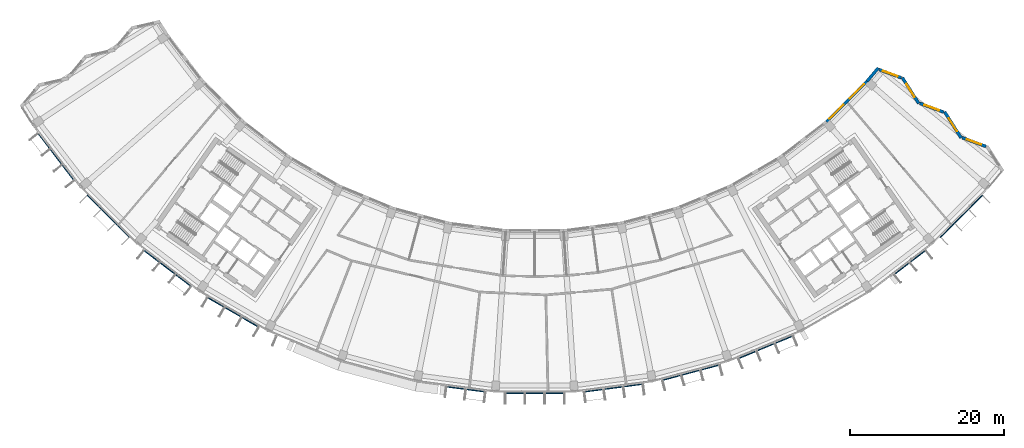
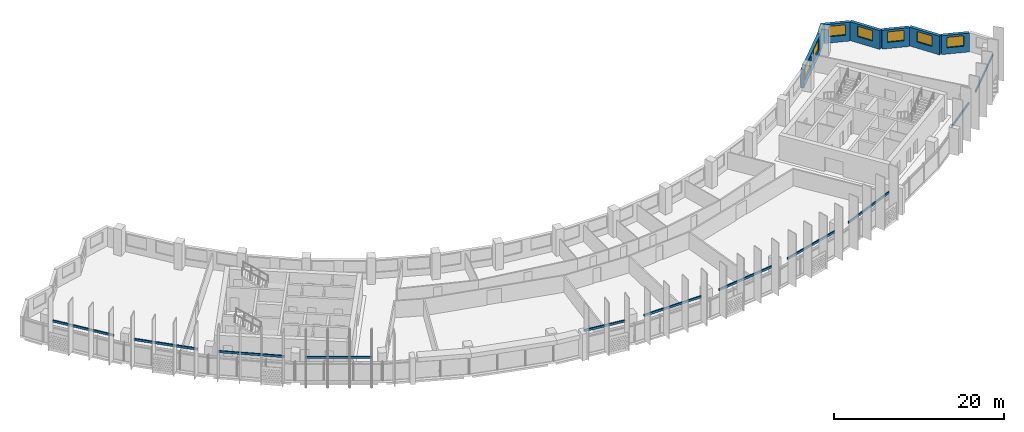
# One storey, part 8 of 28: 11 discrete accessories, 7 walls, 7 windows, 7 openings.
"""IFC4 building model written with IfcOpenShell, lengths in metres."""

import ifcopenshell
import ifcopenshell.guid

model = None  # the IFC model being written
_history = None  # IfcOwnerHistory: only IFC2X3 demands one
_inside = {}  # id of a spatial element -> (the spatial element, [elements in it])
_under = {}  # id of a project, library or spatial element -> (it, [spatial elements below it])
_declared = {}  # id of a project -> (the project, [libraries it declares])
_typed = {}  # id of a type object -> (the type object, [elements of that type])
_made_of = {}  # id of a material, layer set ... -> (it, [elements and type objects made of it])


def new_model(schema):
    """Start an empty IFC model of exactly this schema.

    Asked for "IFC4X3", IfcOpenShell would pick the latest addendum, in which some entities
    have other attributes; the version numbers below select the first issue.
    IFC2X3 requires an IfcOwnerHistory on every rooted entity: one is made here for all.
    """
    global model, _history
    if schema == "IFC4X3":
        model = ifcopenshell.file(schema_version=(4, 3, 0, 0))
    else:
        model = ifcopenshell.file(schema=schema)
    _inside.clear()
    _under.clear()
    _declared.clear()
    _typed.clear()
    _made_of.clear()
    _history = None
    if model.schema == "IFC2X3":
        org = make("IfcOrganization", Name="unknown")
        user = make(
            "IfcPersonAndOrganization",
            ThePerson=make("IfcPerson", FamilyName="unknown"),
            TheOrganization=org,
        )
        app = make(
            "IfcApplication",
            ApplicationDeveloper=org,
            Version="unknown",
            ApplicationFullName="unknown",
            ApplicationIdentifier="unknown",
        )
        _history = make(
            "IfcOwnerHistory",
            OwningUser=user,
            OwningApplication=app,
            ChangeAction="ADDED",
            CreationDate=0,
        )
    return model


def make(cls, **values):
    """One entity of the class cls with the attributes given. An attribute that is None is left unset."""
    return model.create_entity(
        cls, **{name: value for name, value in values.items() if value is not None}
    )


def rooted(cls, **values):
    """An entity with a GlobalId (a new one), such as an element, a storey or a relation."""
    return make(cls, GlobalId=ifcopenshell.guid.new(), OwnerHistory=_history, **values)


def si_unit(unit_type, name, prefix=None):
    """IfcSIUnit, for example si_unit("LENGTHUNIT", "METRE", prefix="MILLI")."""
    return make("IfcSIUnit", UnitType=unit_type, Prefix=prefix, Name=name)


def assignment(units):
    """IfcUnitAssignment: the units of a project."""
    return None if units is None else make("IfcUnitAssignment", Units=units)


def point(xyz):
    """IfcCartesianPoint."""
    return None if xyz is None else make("IfcCartesianPoint", Coordinates=xyz)


def direction(xyz):
    """IfcDirection."""
    return None if xyz is None else make("IfcDirection", DirectionRatios=xyz)


def frame(location, z_axis=None, x_axis=None):
    """IfcAxis2Placement3D, a coordinate frame: its origin and axes. An axis left out is left unset."""
    return make(
        "IfcAxis2Placement3D",
        Location=point(location),
        Axis=direction(z_axis),
        RefDirection=direction(x_axis),
    )


def frame_2d(location, x_axis=None):
    """IfcAxis2Placement2D, a coordinate frame in the plane: its origin and x axis."""
    return make(
        "IfcAxis2Placement2D", Location=point(location), RefDirection=direction(x_axis)
    )


def origin():
    """The frame at (0, 0, 0) with its axes left unset."""
    return frame((0.0, 0.0, 0.0))


def origin_2d():
    """The frame at (0, 0) in the plane with its x axis left unset."""
    return frame_2d((0.0, 0.0))


def place(relative_to, where):
    """IfcLocalPlacement: puts the frame where relative to a parent placement (None: the world)."""
    return make(
        "IfcLocalPlacement", PlacementRelTo=relative_to, RelativePlacement=where
    )


def context(
    kind, dimensions, precision=None, world=None, true_north=None, identifier=None
):
    """IfcGeometricRepresentationContext, for example the 3D "Model" context."""
    return make(
        "IfcGeometricRepresentationContext",
        ContextIdentifier=identifier,
        ContextType=kind,
        CoordinateSpaceDimension=dimensions,
        Precision=precision,
        WorldCoordinateSystem=world,
        TrueNorth=true_north,
    )


def subcontext(parent, identifier, kind, view, scale=None):
    """IfcGeometricRepresentationSubContext, for example "Body" below "Model"."""
    return make(
        "IfcGeometricRepresentationSubContext",
        ContextIdentifier=identifier,
        ContextType=kind,
        ParentContext=parent,
        TargetScale=scale,
        TargetView=view,
    )


def project(units=None, contexts=None):
    """IfcProject with its units and contexts."""
    return rooted(
        "IfcProject",
        Name="project",
        RepresentationContexts=contexts,
        UnitsInContext=assignment(units),
    )


def spatial(cls, under=None, at=None, **own):
    """A site, building, storey or space (cls), placed at a placement, below another one or the project."""
    s = rooted(cls, ObjectPlacement=at, **own)
    if under is not None:
        _under.setdefault(under.id(), (under, []))[1].append(s)
    return s


def profile(cls, at=None, kind="AREA", **sizes):
    """A parametric profile (cls). Its sizes go by their IFC names, for example OverallWidth=200.0."""
    return make(cls, ProfileType=kind, Position=at, **sizes)


def rectangle(**sizes):
    """IfcRectangleProfileDef."""
    return profile("IfcRectangleProfileDef", **sizes)


def extrude(swept, where, along, depth):
    """IfcExtrudedAreaSolid: the profile swept, set in the frame where, extruded along a direction by depth."""
    return make(
        "IfcExtrudedAreaSolid",
        SweptArea=swept,
        Position=where,
        ExtrudedDirection=direction(along),
        Depth=depth,
    )


def shape(context_of_items, identifier, shape_type, items):
    """IfcShapeRepresentation: the items that make up one representation, for example the "Body"."""
    return make(
        "IfcShapeRepresentation",
        ContextOfItems=context_of_items,
        RepresentationIdentifier=identifier,
        RepresentationType=shape_type,
        Items=items,
    )


def material(Name=None, Category=None):
    """IfcMaterial."""
    return make("IfcMaterial", Name=Name, Category=Category)


def layer(
    of_material, thickness, ventilated=None, Name=None, Category=None, Priority=None
):
    """IfcMaterialLayer: one layer of a wall or slab, of a material (None: an air gap)."""
    return make(
        "IfcMaterialLayer",
        Material=of_material,
        LayerThickness=thickness,
        IsVentilated=ventilated,
        Name=Name,
        Category=Category,
        Priority=Priority,
    )


def layer_set(layers, Name=None):
    """IfcMaterialLayerSet."""
    return make("IfcMaterialLayerSet", MaterialLayers=layers, LayerSetName=Name)


def made_of(thing, what):
    """Note that an element or type object is made of a material, layer set ...; save() writes the relation."""
    if what is not None:
        _made_of.setdefault(what.id(), (what, []))[1].append(thing)
    return thing


def type_object(cls, material=None, **own):
    """A type object (cls), such as IfcWallType, which elements share."""
    return made_of(rooted(cls, **own), material)


def element(
    cls,
    number,
    at=None,
    inside=None,
    cuts=None,
    type_object=None,
    material=None,
    context=None,
    identifier="Body",
    shape_type=None,
    held_by="IfcProductDefinitionShape",
    body=None,
    shapes=None,
    **own,
):
    """One element of the class cls, such as IfcWall. Its Tag is "e" and its number.

    at: its placement. inside: the storey or other place that contains it. cuts: it is an
    opening in that element (IfcRelVoidsElement). A single representation is given by context,
    identifier, shape_type and body (its items); several are given by shapes. held_by: the class
    of the entity that holds the representations. save() writes the other relations.
    """
    e = rooted(cls, Tag="e%d" % number, ObjectPlacement=at, **own)
    if body is not None:
        shapes = [shape(context, identifier, shape_type, body)]
    if shapes is not None:
        e.Representation = make(held_by, Representations=shapes)
    if inside is not None:
        _inside.setdefault(inside.id(), (inside, []))[1].append(e)
    if cuts is not None:
        rooted(
            "IfcRelVoidsElement", RelatingBuildingElement=cuts, RelatedOpeningElement=e
        )
    if type_object is not None:
        _typed.setdefault(type_object.id(), (type_object, []))[1].append(e)
    return made_of(e, material)


def fill(opening, filler):
    """IfcRelFillsElement: the door or window that sits in an opening."""
    return rooted(
        "IfcRelFillsElement",
        RelatingOpeningElement=opening,
        RelatedBuildingElement=filler,
    )


def aggregate(whole, parts):
    """IfcRelAggregates: a whole, such as a stair, and the parts it consists of."""
    return rooted("IfcRelAggregates", RelatingObject=whole, RelatedObjects=parts)


def save(model, path):
    """Write the relations noted so far, then the file.

    IfcRelAggregates (storeys below a building ...), IfcRelContainedInSpatialStructure (elements
    in a storey), IfcRelDefinesByType, IfcRelAssociatesMaterial and IfcRelDeclares: one each for
    every whole, place, type object, material and project.
    """
    for whole, parts in _under.values():
        aggregate(whole, parts)
    for where, things in _inside.values():
        rooted(
            "IfcRelContainedInSpatialStructure",
            RelatedElements=things,
            RelatingStructure=where,
        )
    for kind, things in _typed.values():
        rooted("IfcRelDefinesByType", RelatedObjects=things, RelatingType=kind)
    for what, things in _made_of.values():
        rooted("IfcRelAssociatesMaterial", RelatedObjects=things, RelatingMaterial=what)
    for by, libraries in _declared.values():
        rooted("IfcRelDeclares", RelatingContext=by, RelatedDefinitions=libraries)
    model.write(path)


model = new_model("IFC4")

# Units and contexts
model_context = context("Model", 3, precision=1e-05, world=origin(), true_north=direction((0.0, 1.0)))
body_context = subcontext(model_context, "Body", "Model", "MODEL_VIEW")
ifc_project = project(units=[si_unit("LENGTHUNIT", "METRE"), si_unit("AREAUNIT", "SQUARE_METRE"), si_unit("VOLUMEUNIT", "CUBIC_METRE"), si_unit("PLANEANGLEUNIT", "RADIAN"), si_unit("MASSUNIT", "GRAM", prefix="KILO")], contexts=[model_context])

# Site, building, storey
site_placement = place(None, origin())
site = spatial("IfcSite", under=ifc_project, at=site_placement, CompositionType="ELEMENT")
building_placement = place(site_placement, origin())
building = spatial("IfcBuilding", under=site, at=building_placement, Name="Qamariyya Broadcast Tower", CompositionType="ELEMENT")
storey_placement = place(building_placement, frame((0.0, 0.0, 234.10009765625)))
storey = spatial("IfcBuildingStorey", under=building, at=storey_placement, Name="L56", CompositionType="ELEMENT", Elevation=234.10009765625)

# Wall, opening, window
ifc_material_1 = material(Name="Terracotta", Category="masonry")
ifc_layer = layer(ifc_material_1, 0.39990234375)
ifc_layer_set = layer_set([ifc_layer], Name="Terracotta clad wall 400")
wall_type = type_object("IfcWallType", Name="Terracotta clad wall 400", PredefinedType="SOLIDWALL", material=ifc_layer_set)
wall_1_placement = place(storey_placement, frame((58.744140625, -46.452392578125, 0.0), z_axis=(0.0, 0.0, 1.0), x_axis=(-0.937811113023, 0.347145958195, 0.0)))
wall_1 = element("IfcWall", 1, at=wall_1_placement, inside=storey, type_object=wall_type, Name="e-wl-L56-capE1", PredefinedType="SOLIDWALL", context=body_context, shape_type="SweptSolid", body=[
    extrude(rectangle(XDim=3.305419921875, YDim=0.39990234375, at=frame_2d((1.65283203125, 0.0))), origin(), (0.0, 0.0, 1.0), 2.699951171875),
])
opening_1_placement = place(wall_1_placement, frame((0.652587890625, 0.0, 0.89990234375)))
opening_1 = element("IfcOpeningElement", 2, at=opening_1_placement, cuts=wall_1, Name="Opening W4", PredefinedType="OPENING", context=body_context, shape_type="SweptSolid", body=[
    extrude(rectangle(XDim=2.0, YDim=1.5, at=frame_2d((1.0, 0.75))), frame((0.0, 0.2099609375, 0.0), z_axis=(0.0, -1.0, 0.0), x_axis=(1.0, 0.0, 0.0)), (0.0, 0.0, 1.0), 0.419921875),
])
ifc_material_2 = material(Name="Clear low-e double glazed unit in aluminium frame", Category="aluminium")
window_type_1 = type_object("IfcWindowType", Name="Horn bay window 2000 x 1500", PartitioningType="SINGLE_PANEL", PredefinedType="WINDOW", material=ifc_material_2)
window_1_placement = place(opening_1_placement, origin())
window_1 = element("IfcWindow", 3, at=window_1_placement, inside=storey, type_object=window_type_1, Name="e-w-L56-capE1", OverallHeight=1.5, OverallWidth=2.0, PartitioningType="SINGLE_PANEL", PredefinedType="WINDOW", context=body_context, shape_type="SweptSolid", body=[
    extrude(rectangle(XDim=2.0, YDim=1.5, at=frame_2d((1.0, 0.75))), frame((0.0, 0.030029296875, 0.0), z_axis=(0.0, -1.0, 0.0), x_axis=(1.0, 0.0, 0.0)), (0.0, 0.0, 1.0), 0.06005859375),
])
fill(opening_1, window_1)

wall_2_placement = place(storey_placement, frame((55.505615234375, -45.3310546875, 0.0), z_axis=(0.0, 0.0, 1.0), x_axis=(-0.534898051941, 0.844916607737, 0.0)))
wall_2 = element("IfcWall", 4, at=wall_2_placement, inside=storey, type_object=wall_type, Name="e-wl-L56-capE2", PredefinedType="SOLIDWALL", context=body_context, shape_type="SweptSolid", body=[
    extrude(rectangle(XDim=3.997314453125, YDim=0.39990234375, at=frame_2d((1.99853515625, 0.0))), origin(), (0.0, 0.0, 1.0), 2.699951171875),
])
opening_2_placement = place(wall_2_placement, frame((0.998779296875, 0.0, 0.89990234375)))
opening_2 = element("IfcOpeningElement", 5, at=opening_2_placement, cuts=wall_2, Name="Opening W4", PredefinedType="OPENING", context=body_context, shape_type="SweptSolid", body=[
    extrude(rectangle(XDim=2.0, YDim=1.5, at=frame_2d((1.0, 0.75))), frame((0.0, 0.2099609375, 0.0), z_axis=(0.0, -1.0, 0.0), x_axis=(1.0, 0.0, 0.0)), (0.0, 0.0, 1.0), 0.419921875),
])
window_2_placement = place(opening_2_placement, origin())
window_2 = element("IfcWindow", 6, at=window_2_placement, inside=storey, type_object=window_type_1, Name="e-w-L56-capE2", OverallHeight=1.5, OverallWidth=2.0, PartitioningType="SINGLE_PANEL", PredefinedType="WINDOW", context=body_context, shape_type="SweptSolid", body=[
    extrude(rectangle(XDim=2.0, YDim=1.5, at=frame_2d((1.0, 0.75))), frame((0.0, 0.030029296875, 0.0), z_axis=(0.0, -1.0, 0.0), x_axis=(1.0, 0.0, 0.0)), (0.0, 0.0, 1.0), 0.06005859375),
])
fill(opening_2, window_2)

wall_3_placement = place(storey_placement, frame((53.228515625, -41.97998046875, 0.0), z_axis=(0.0, 0.0, 1.0), x_axis=(-0.937823604422, 0.347112210949, 0.0)))
wall_3 = element("IfcWall", 7, at=wall_3_placement, inside=storey, type_object=wall_type, Name="e-wl-L56-capE3", PredefinedType="SOLIDWALL", context=body_context, shape_type="SweptSolid", body=[
    extrude(rectangle(XDim=3.304443359375, YDim=0.39990234375, at=frame_2d((1.65234375, 0.0))), origin(), (0.0, 0.0, 1.0), 2.699951171875),
])
opening_3_placement = place(wall_3_placement, frame((0.652099609375, 0.0, 0.89990234375)))
opening_3 = element("IfcOpeningElement", 8, at=opening_3_placement, cuts=wall_3, Name="Opening W4", PredefinedType="OPENING", context=body_context, shape_type="SweptSolid", body=[
    extrude(rectangle(XDim=2.0, YDim=1.5, at=frame_2d((1.0, 0.75))), frame((0.0, 0.2099609375, 0.0), z_axis=(0.0, -1.0, 0.0), x_axis=(1.0, 0.0, 0.0)), (0.0, 0.0, 1.0), 0.419921875),
])
window_3_placement = place(opening_3_placement, origin())
window_3 = element("IfcWindow", 9, at=window_3_placement, inside=storey, type_object=window_type_1, Name="e-w-L56-capE3", OverallHeight=1.5, OverallWidth=2.0, PartitioningType="SINGLE_PANEL", PredefinedType="WINDOW", context=body_context, shape_type="SweptSolid", body=[
    extrude(rectangle(XDim=2.0, YDim=1.5, at=frame_2d((1.0, 0.75))), frame((0.0, 0.030029296875, 0.0), z_axis=(0.0, -1.0, 0.0), x_axis=(1.0, 0.0, 0.0)), (0.0, 0.0, 1.0), 0.06005859375),
])
fill(opening_3, window_3)

wall_4_placement = place(storey_placement, frame((49.990966796875, -40.859130859375, 0.0), z_axis=(0.0, 0.0, 1.0), x_axis=(-0.534989617601, 0.844858632589, 0.0)))
wall_4 = element("IfcWall", 10, at=wall_4_placement, inside=storey, type_object=wall_type, Name="e-wl-L56-capE4", PredefinedType="SOLIDWALL", context=body_context, shape_type="SweptSolid", body=[
    extrude(rectangle(XDim=3.99853515625, YDim=0.39990234375, at=frame_2d((1.999267578125, 0.0))), origin(), (0.0, 0.0, 1.0), 2.699951171875),
])
opening_4_placement = place(wall_4_placement, frame((0.999267578125, 0.0, 0.89990234375)))
opening_4 = element("IfcOpeningElement", 11, at=opening_4_placement, cuts=wall_4, Name="Opening W4", PredefinedType="OPENING", context=body_context, shape_type="SweptSolid", body=[
    extrude(rectangle(XDim=2.0, YDim=1.5, at=frame_2d((1.0, 0.75))), frame((0.0, 0.2099609375, 0.0), z_axis=(0.0, -1.0, 0.0), x_axis=(1.0, 0.0, 0.0)), (0.0, 0.0, 1.0), 0.419921875),
])
window_4_placement = place(opening_4_placement, origin())
window_4 = element("IfcWindow", 12, at=window_4_placement, inside=storey, type_object=window_type_1, Name="e-w-L56-capE4", OverallHeight=1.5, OverallWidth=2.0, PartitioningType="SINGLE_PANEL", PredefinedType="WINDOW", context=body_context, shape_type="SweptSolid", body=[
    extrude(rectangle(XDim=2.0, YDim=1.5, at=frame_2d((1.0, 0.75))), frame((0.0, 0.030029296875, 0.0), z_axis=(0.0, -1.0, 0.0), x_axis=(1.0, 0.0, 0.0)), (0.0, 0.0, 1.0), 0.06005859375),
])
fill(opening_4, window_4)

wall_5_placement = place(storey_placement, frame((47.712890625, -37.50732421875, 0.0), z_axis=(0.0, 0.0, 1.0), x_axis=(-0.937847824365, 0.347046766781, 0.0)))
wall_5 = element("IfcWall", 13, at=wall_5_placement, inside=storey, type_object=wall_type, Name="e-wl-L56-capE5", PredefinedType="SOLIDWALL", context=body_context, shape_type="SweptSolid", body=[
    extrude(rectangle(XDim=3.060791015625, YDim=0.39990234375, at=frame_2d((1.5302734375, 0.0))), origin(), (0.0, 0.0, 1.0), 2.699951171875),
])
opening_5_placement = place(wall_5_placement, frame((0.530517578125, 0.0, 0.89990234375)))
opening_5 = element("IfcOpeningElement", 14, at=opening_5_placement, cuts=wall_5, Name="Opening W4", PredefinedType="OPENING", context=body_context, shape_type="SweptSolid", body=[
    extrude(rectangle(XDim=2.0, YDim=1.5, at=frame_2d((1.0, 0.75))), frame((0.0, 0.2099609375, 0.0), z_axis=(0.0, -1.0, 0.0), x_axis=(1.0, 0.0, 0.0)), (0.0, 0.0, 1.0), 0.419921875),
])
window_5_placement = place(opening_5_placement, origin())
window_5 = element("IfcWindow", 15, at=window_5_placement, inside=storey, type_object=window_type_1, Name="e-w-L56-capE5", OverallHeight=1.5, OverallWidth=2.0, PartitioningType="SINGLE_PANEL", PredefinedType="WINDOW", context=body_context, shape_type="SweptSolid", body=[
    extrude(rectangle(XDim=2.0, YDim=1.5, at=frame_2d((1.0, 0.75))), frame((0.0, 0.030029296875, 0.0), z_axis=(0.0, -1.0, 0.0), x_axis=(1.0, 0.0, 0.0)), (0.0, 0.0, 1.0), 0.06005859375),
])
fill(opening_5, window_5)

# Wall, openings, windows
wall_6_placement = place(storey_placement, frame((43.242919921875, -37.971435546875, 0.0), z_axis=(0.0, 0.0, 1.0), x_axis=(-0.707106781187, -0.707106781187, 0.0)))
wall_6 = element("IfcWall", 16, at=wall_6_placement, inside=storey, type_object=wall_type, Name="e-wl-L56-in140", PredefinedType="SOLIDWALL", context=body_context, shape_type="SweptSolid", body=[
    extrude(rectangle(XDim=7.44091796875, YDim=0.39990234375, at=frame_2d((3.720458984375, 0.0))), origin(), (0.0, 0.0, 1.0), 2.699951171875),
])
opening_6_placement = place(wall_6_placement, frame((4.302978515625, 0.0, 0.89990234375)))
opening_6 = element("IfcOpeningElement", 17, at=opening_6_placement, cuts=wall_6, Name="Opening W1", PredefinedType="OPENING", context=body_context, shape_type="SweptSolid", body=[
    extrude(rectangle(XDim=2.60009765625, YDim=1.64990234375, at=frame_2d((1.300048828125, 0.824951171875))), frame((0.0, 0.2099609375, 0.0), z_axis=(0.0, -1.0, 0.0), x_axis=(1.0, 0.0, 0.0)), (0.0, 0.0, 1.0), 0.419921875),
])
opening_7_placement = place(wall_6_placement, frame((0.55224609375, 0.0, 0.89990234375)))
opening_7 = element("IfcOpeningElement", 18, at=opening_7_placement, cuts=wall_6, Name="Opening W1", PredefinedType="OPENING", context=body_context, shape_type="SweptSolid", body=[
    extrude(rectangle(XDim=2.60009765625, YDim=1.64990234375, at=frame_2d((1.300048828125, 0.824951171875))), frame((0.0, 0.2099609375, 0.0), z_axis=(0.0, -1.0, 0.0), x_axis=(1.0, 0.0, 0.0)), (0.0, 0.0, 1.0), 0.419921875),
])
window_type_2 = type_object("IfcWindowType", Name="Ribbon window 2600 x 1650", PartitioningType="SINGLE_PANEL", PredefinedType="WINDOW", material=ifc_material_2)
window_6_placement = place(opening_6_placement, origin())
window_6 = element("IfcWindow", 19, at=window_6_placement, inside=storey, type_object=window_type_2, Name="e-w-L56-in14-0", OverallHeight=1.64990234375, OverallWidth=2.60009765625, PartitioningType="SINGLE_PANEL", PredefinedType="WINDOW", context=body_context, shape_type="SweptSolid", body=[
    extrude(rectangle(XDim=2.60009765625, YDim=1.64990234375, at=frame_2d((1.300048828125, 0.824951171875))), frame((0.0, 0.030029296875, 0.0), z_axis=(0.0, -1.0, 0.0), x_axis=(1.0, 0.0, 0.0)), (0.0, 0.0, 1.0), 0.06005859375),
])
fill(opening_6, window_6)
window_7_placement = place(opening_7_placement, origin())
window_7 = element("IfcWindow", 20, at=window_7_placement, inside=storey, type_object=window_type_2, Name="e-w-L56-in14-1", OverallHeight=1.64990234375, OverallWidth=2.60009765625, PartitioningType="SINGLE_PANEL", PredefinedType="WINDOW", context=body_context, shape_type="SweptSolid", body=[
    extrude(rectangle(XDim=2.60009765625, YDim=1.64990234375, at=frame_2d((1.300048828125, 0.824951171875))), frame((0.0, 0.030029296875, 0.0), z_axis=(0.0, -1.0, 0.0), x_axis=(1.0, 0.0, 0.0)), (0.0, 0.0, 1.0), 0.06005859375),
])
fill(opening_7, window_7)

# Wall
wall_7_placement = place(storey_placement, frame((44.726318359375, -36.216552734375, 0.0), z_axis=(0.0, 0.0, 1.0), x_axis=(-0.644626690637, -0.764497501447, 0.0)))
element("IfcWall", 21, at=wall_7_placement, inside=storey, type_object=wall_type, Name="e-wl-L56-in150", PredefinedType="SOLIDWALL", context=body_context, shape_type="SweptSolid", body=[
    extrude(rectangle(XDim=2.281005859375, YDim=0.39990234375, at=frame_2d((1.140625, 0.0))), origin(), (0.0, 0.0, 1.0), 2.699951171875),
])

# Discrete accessories
ifc_material_3 = material(Name="Stainless steel 316", Category="steel")
discrete_accessory_type = type_object("IfcDiscreteAccessoryType", Name="Slab edge fixing angle, stainless steel", PredefinedType="BRACKET", material=ifc_material_3)
for number, where, z_axis, x_axis, name in (
    (22, (-62.3232421875, -47.822265625, 3.2998046875), (0.0, 0.0, 1.0), (0.608761429009, -0.793353340291, 0.0), "e-br-L56-01-0"),
    (23, (-55.5478515625, -55.5478515625, 3.2998046875), (0.0, 0.0, 1.0), (0.707106781187, -0.707106781187, 0.0), "e-br-L56-02-0"),
    (24, (-47.822265625, -62.3232421875, 3.2998046875), (0.0, 0.0, 1.0), (0.793353340291, -0.608761429009, 0.0), "e-br-L56-03-0"),
    (25, (-39.2783203125, -68.031982421875, 3.2998046875), (0.0, 0.0, 1.0), (0.866025403784, -0.5, 0.0), "e-br-L56-04-0"),
):
    element("IfcDiscreteAccessory", number, at=place(storey_placement, frame(where, z_axis=z_axis, x_axis=x_axis)), inside=storey, type_object=discrete_accessory_type, Name=name, PredefinedType="BRACKET", context=body_context, shape_type="SweptSolid", body=[
        extrude(rectangle(XDim=7.81591796875, YDim=0.14990234375, at=origin_2d()), origin(), (0.0, 0.0, 1.0), 0.300048828125),
    ])
discrete_accessory_1_placement = place(storey_placement, frame((-8.978759765625, -78.052490234375, 3.2998046875), z_axis=(0.0, 0.0, 1.0), x_axis=(0.991444861374, -0.13052619222, 0.0)))
element("IfcDiscreteAccessory", 26, at=discrete_accessory_1_placement, inside=storey, type_object=discrete_accessory_type, Name="e-br-L56-07-0", PredefinedType="BRACKET", context=body_context, shape_type="SweptSolid", body=[
    extrude(rectangle(XDim=5.243896484375, YDim=0.14990234375, at=origin_2d()), origin(), (0.0, 0.0, 1.0), 0.300048828125),
])
for number, where, z_axis, x_axis, name in (
    (27, (0.0, -78.556640625, 3.2998046875), (0.0, 0.0, 1.0), (1.0, 0.0, 0.0), "e-br-L56-08-0"),
    (28, (10.253662109375, -77.884521484375, 3.2998046875), (0.0, 0.0, 1.0), (0.991444861374, 0.13052619222, 0.0), "e-br-L56-09-0"),
    (29, (20.33203125, -75.8798828125, 3.2998046875), (0.0, 0.0, 1.0), (0.965925826289, 0.258819045103, 0.0), "e-br-L56-10-0"),
    (30, (30.062255859375, -72.576904296875, 3.2998046875), (0.0, 0.0, 1.0), (0.923879532511, 0.382683432365, 0.0), "e-br-L56-11-0"),
):
    element("IfcDiscreteAccessory", number, at=place(storey_placement, frame(where, z_axis=z_axis, x_axis=x_axis)), inside=storey, type_object=discrete_accessory_type, Name=name, PredefinedType="BRACKET", context=body_context, shape_type="SweptSolid", body=[
        extrude(rectangle(XDim=7.81591796875, YDim=0.14990234375, at=origin_2d()), origin(), (0.0, 0.0, 1.0), 0.300048828125),
    ])
discrete_accessory_2_placement = place(storey_placement, frame((48.842529296875, -61.540283203125, 3.2998046875), z_axis=(0.0, 0.0, 1.0), x_axis=(0.793353340291, 0.608761429009, 0.0)))
element("IfcDiscreteAccessory", 31, at=discrete_accessory_2_placement, inside=storey, type_object=discrete_accessory_type, Name="e-br-L56-13-0", PredefinedType="BRACKET", context=body_context, shape_type="SweptSolid", body=[
    extrude(rectangle(XDim=5.243896484375, YDim=0.14990234375, at=origin_2d()), origin(), (0.0, 0.0, 1.0), 0.300048828125),
])
discrete_accessory_3_placement = place(storey_placement, frame((55.5478515625, -55.5478515625, 3.2998046875), z_axis=(0.0, 0.0, 1.0), x_axis=(0.707106781187, 0.707106781187, 0.0)))
element("IfcDiscreteAccessory", 32, at=discrete_accessory_3_placement, inside=storey, type_object=discrete_accessory_type, Name="e-br-L56-14-0", PredefinedType="BRACKET", context=body_context, shape_type="SweptSolid", body=[
    extrude(rectangle(XDim=7.81591796875, YDim=0.14990234375, at=origin_2d()), origin(), (0.0, 0.0, 1.0), 0.300048828125),
])

save(model, "model.ifc")
